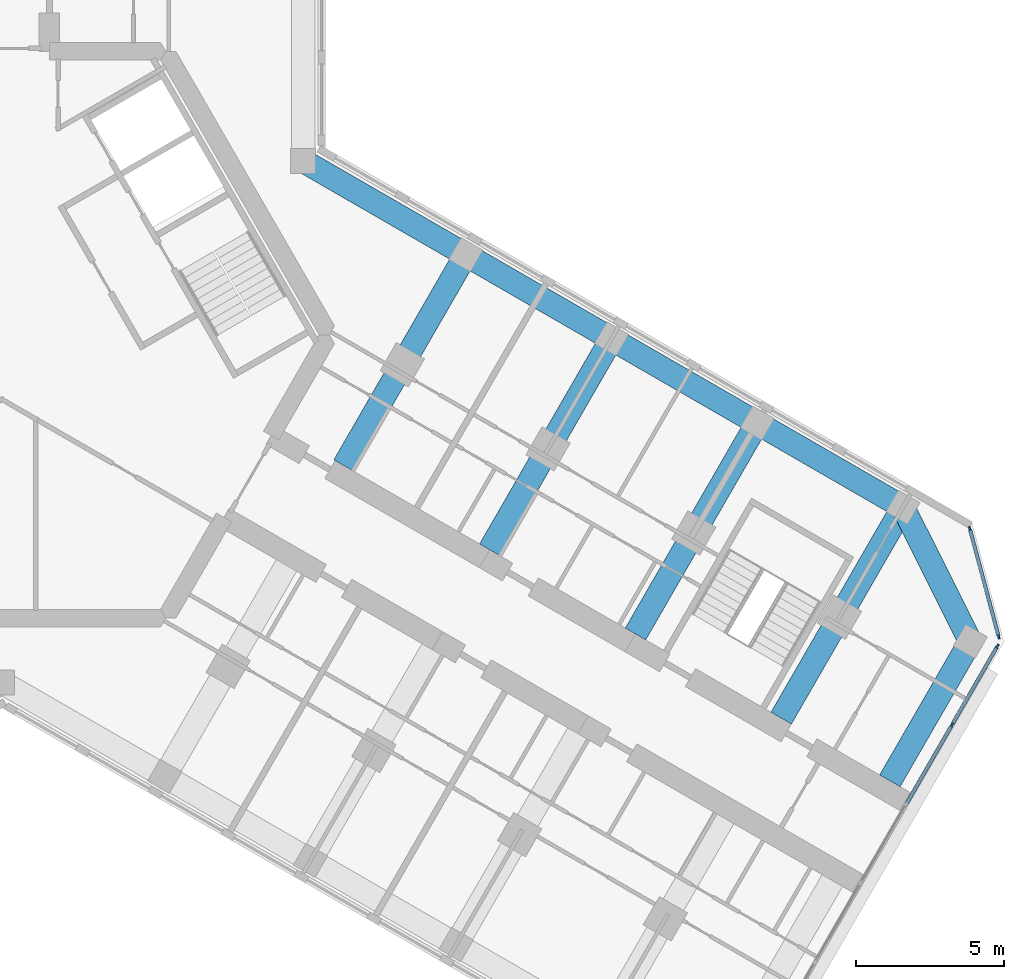
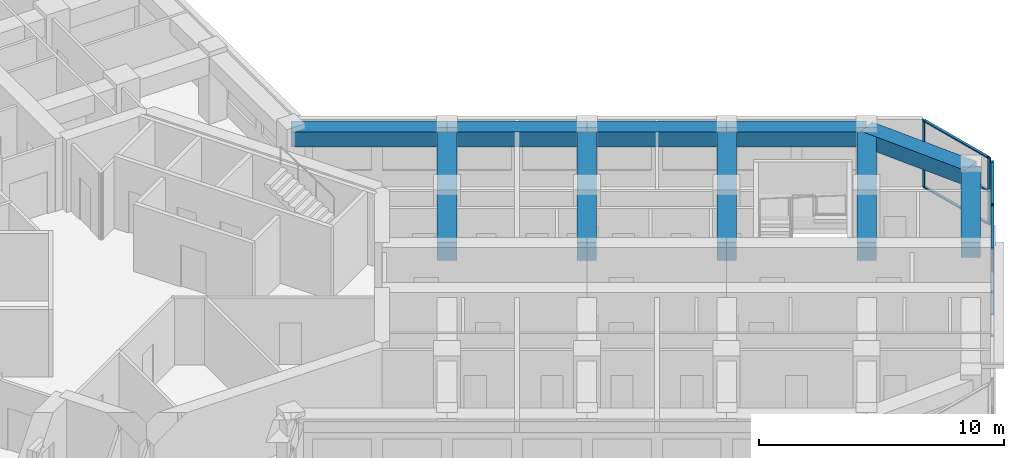
# One storey, part 5 of 16: 11 members, 10 beams, 2 elements without a shape of their own.
"""IFC4 building model written with IfcOpenShell, lengths in metres."""

from ifc_helpers import new_model, si_unit, direction, frame, origin, origin_2d, place, context, subcontext, project, spatial, rectangle, extrude, material, material_profile, profile_set, type_object, element, aggregate, save


model = new_model("IFC4")

# Units and contexts
model_context = context("Model", 3, precision=1e-05, world=origin(), true_north=direction((0.0, 1.0)))
body_context = subcontext(model_context, "Body", "Model", "MODEL_VIEW")
ifc_project = project(units=[si_unit("LENGTHUNIT", "METRE"), si_unit("AREAUNIT", "SQUARE_METRE"), si_unit("VOLUMEUNIT", "CUBIC_METRE"), si_unit("PLANEANGLEUNIT", "RADIAN"), si_unit("MASSUNIT", "GRAM", prefix="KILO")], contexts=[model_context])

# Site, building, storey
site_placement = place(None, origin())
site = spatial("IfcSite", under=ifc_project, at=site_placement, CompositionType="ELEMENT")
building_placement = place(site_placement, origin())
building = spatial("IfcBuilding", under=site, at=building_placement, Name="Kosmar Iwan School Tower", CompositionType="ELEMENT")
storey_placement = place(building_placement, frame((0.0, 0.0, 249.60009765625)))
storey = spatial("IfcBuildingStorey", under=building, at=storey_placement, Name="L63", CompositionType="ELEMENT", Elevation=249.60009765625)

# Curtain wall, members
ifc_material_1 = material(Name="Dark glass in black aluminium frame", Category="aluminium")
curtain_wall_type_1 = type_object("IfcCurtainWallType", Name="Tower curtain wall dark glass", PredefinedType="USERDEFINED", material=ifc_material_1)
curtain_wall_1_placement = place(storey_placement, origin())
curtain_wall_1 = element("IfcCurtainWall", 1, at=curtain_wall_1_placement, inside=storey, type_object=curtain_wall_type_1, Name="Curtain wall L63-F01", ObjectType="UNITISED CURTAIN WALL", PredefinedType="USERDEFINED")
ifc_material_2 = material(Name="Black anodised aluminium", Category="aluminium")
ifc_material_profile_1 = material_profile(ifc_material_2, rectangle(XDim=0.06005859375, YDim=0.159912109375, at=origin_2d()), Name="MULLION 60x160")
ifc_profile_set_1 = profile_set([ifc_material_profile_1], Name="Black anodised aluminium")
member_type_1 = type_object("IfcMemberType", Name="Mullion 60x160", PredefinedType="MULLION", material=ifc_profile_set_1)
member_1_placement = place(storey_placement, frame((32.1806640625, -13.21142578125, 0.0), z_axis=(0.0, 0.0, 1.0), x_axis=(-0.866025405329, 0.499999997325, 0.0)))
member_1 = element("IfcMember", 2, at=member_1_placement, type_object=member_type_1, Name="CW1 mullion 5", PredefinedType="MULLION", context=body_context, shape_type="SweptSolid", body=[
    extrude(rectangle(XDim=0.06005859375, YDim=0.159912109375, at=origin_2d()), origin(), (0.0, 0.0, 1.0), 3.349853515625),
])
member_2_placement = place(storey_placement, frame((33.71533203125, -10.55322265625, 0.0), z_axis=(0.0, 0.0, 1.0), x_axis=(-0.866025405329, 0.499999997325, 0.0)))
member_2 = element("IfcMember", 3, at=member_2_placement, type_object=member_type_1, Name="CW1 mullion 6", PredefinedType="MULLION", context=body_context, shape_type="SweptSolid", body=[
    extrude(rectangle(XDim=0.06005859375, YDim=0.159912109375, at=origin_2d()), origin(), (0.0, 0.0, 1.0), 3.349853515625),
])

ifc_material_3 = material(Name="Dark glass in black aluminium frame", Category="aluminium")
curtain_wall_type_2 = type_object("IfcCurtainWallType", Name="Chamfer curtain wall dark glass", PredefinedType="USERDEFINED", material=ifc_material_3)
curtain_wall_2_placement = place(storey_placement, origin())
curtain_wall_2 = element("IfcCurtainWall", 4, at=curtain_wall_2_placement, inside=storey, type_object=curtain_wall_type_2, Name="Curtain wall L63-F02", ObjectType="FACETED CURTAIN WALL", PredefinedType="USERDEFINED")
member_3_placement = place(storey_placement, frame((33.7587890625, -10.2236328125, 0.0), z_axis=(0.0, 0.0, 1.0), x_axis=(-0.965925875495, -0.258818861462, 0.0)))
member_3 = element("IfcMember", 5, at=member_3_placement, type_object=member_type_1, Name="CW2 mullion 1", PredefinedType="MULLION", context=body_context, shape_type="SweptSolid", body=[
    extrude(rectangle(XDim=0.06005859375, YDim=0.159912109375, at=origin_2d()), origin(), (0.0, 0.0, 1.0), 3.349853515625),
])
member_4_placement = place(storey_placement, frame((32.78076171875, -6.5732421875, 0.0), z_axis=(0.0, 0.0, 1.0), x_axis=(-0.965925875495, -0.258818861462, 0.0)))
member_4 = element("IfcMember", 6, at=member_4_placement, type_object=member_type_1, Name="CW2 mullion 2", PredefinedType="MULLION", context=body_context, shape_type="SweptSolid", body=[
    extrude(rectangle(XDim=0.06005859375, YDim=0.159912109375, at=origin_2d()), origin(), (0.0, 0.0, 1.0), 3.349853515625),
])

# Beams
ifc_material_4 = material(Name="Concrete C50/60", Category="concrete")
ifc_material_profile_2 = material_profile(ifc_material_4, rectangle(XDim=0.800048828125, YDim=0.75, at=origin_2d()), Name="RC 800x750")
ifc_profile_set_2 = profile_set([ifc_material_profile_2], Name="Concrete C50/60")
beam_type_1 = type_object("IfcBeamType", Name="RC edge beam 800x750", PredefinedType="BEAM", material=ifc_profile_set_2)
beam_1_placement = place(storey_placement, frame((10.199951171875, 5.888916015625, 2.974853515625), z_axis=(0.866030912664, -0.49999045822, 0.0), x_axis=(0.49999045822, 0.866030912664, 0.0)))
element("IfcBeam", 7, at=beam_1_placement, inside=storey, type_object=beam_type_1, Name="Edge beam CL1", PredefinedType="BEAM", context=body_context, shape_type="SweptSolid", body=[
    extrude(rectangle(XDim=0.800048828125, YDim=0.75, at=origin_2d()), origin(), (0.0, 0.0, 1.0), 6.36083984375),
])
beam_2_placement = place(storey_placement, frame((15.708740234375, 2.70849609375, 2.974853515625), z_axis=(0.866025820012, -0.499999279071, 0.0), x_axis=(0.499999279071, 0.866025820012, 0.0)))
element("IfcBeam", 8, at=beam_2_placement, inside=storey, type_object=beam_type_1, Name="Edge beam CL2", PredefinedType="BEAM", context=body_context, shape_type="SweptSolid", body=[
    extrude(rectangle(XDim=0.800048828125, YDim=0.75, at=origin_2d()), origin(), (0.0, 0.0, 1.0), 5.7001953125),
])
for number, where, z_axis, x_axis, name in (
    (9, (20.645263671875, -0.1416015625, 2.974853515625), (0.866033658841, -0.49998570155, 0.0), (0.49998570155, 0.866033658841, 0.0), "Edge beam CL3"),
    (10, (25.58154296875, -2.991455078125, 2.974853515625), (0.866015111908, -0.50001782563, 0.0), (0.50001782563, 0.866015111908, 0.0), "Edge beam CL4"),
):
    element("IfcBeam", number, at=place(storey_placement, frame(where, z_axis=z_axis, x_axis=x_axis)), inside=storey, type_object=beam_type_1, Name=name, PredefinedType="BEAM", context=body_context, shape_type="SweptSolid", body=[
        extrude(rectangle(XDim=0.800048828125, YDim=0.75, at=origin_2d()), origin(), (0.0, 0.0, 1.0), 5.699951171875),
    ])
ifc_material_5 = material(Name="Concrete C50/60", Category="concrete")
ifc_material_profile_3 = material_profile(ifc_material_5, rectangle(XDim=0.800048828125, YDim=0.75, at=origin_2d()), Name="RC 800x750")
ifc_profile_set_3 = profile_set([ifc_material_profile_3], Name="Concrete C50/60")
beam_type_2 = type_object("IfcBeamType", Name="RC tip beam 800x750", PredefinedType="BEAM", material=ifc_profile_set_3)
beam_3_placement = place(storey_placement, frame((30.517822265625, -5.841552734375, 2.974853515625), z_axis=(0.44809604203, -0.893985423325, 0.0), x_axis=(0.893985423325, 0.44809604203, 0.0)))
element("IfcBeam", 11, at=beam_3_placement, inside=storey, type_object=beam_type_2, Name="Tip beam CL", PredefinedType="BEAM", context=body_context, shape_type="SweptSolid", body=[
    extrude(rectangle(XDim=0.800048828125, YDim=0.75, at=origin_2d()), origin(), (0.0, 0.0, 1.0), 5.08935546875),
])
beam_4_placement = place(storey_placement, frame((32.79833984375, -10.391357421875, 2.974853515625), z_axis=(-0.49996933381, -0.866043108194, 0.0), x_axis=(0.866043108194, -0.49996933381, 0.0)))
element("IfcBeam", 12, at=beam_4_placement, inside=storey, type_object=beam_type_2, Name="Tip beam CL to corridor wall", PredefinedType="BEAM", context=body_context, shape_type="SweptSolid", body=[
    extrude(rectangle(XDim=0.800048828125, YDim=0.75, at=origin_2d()), origin(), (0.0, 0.0, 1.0), 5.449951171875),
])
ifc_material_6 = material(Name="Concrete C50/60", Category="concrete")
ifc_material_profile_4 = material_profile(ifc_material_6, rectangle(XDim=0.800048828125, YDim=0.89990234375, at=origin_2d()), Name="RC 800x900")
ifc_profile_set_4 = profile_set([ifc_material_profile_4], Name="Concrete C50/60")
beam_type_3 = type_object("IfcBeamType", Name="RC transverse beam 800x900", PredefinedType="BEAM", material=ifc_profile_set_4)
beam_5_placement = place(storey_placement, frame((15.708740234375, 2.70849609375, 2.89990234375), z_axis=(-0.499996545922, -0.866027397988, 0.0), x_axis=(0.866027397988, -0.499996545922, 0.0)))
element("IfcBeam", 13, at=beam_5_placement, inside=storey, type_object=beam_type_3, Name="Transverse beam CL1", PredefinedType="BEAM", context=body_context, shape_type="SweptSolid", body=[
    extrude(rectangle(XDim=0.800048828125, YDim=0.89990234375, at=origin_2d()), origin(), (0.0, 0.0, 1.0), 8.25),
])
beam_6_placement = place(storey_placement, frame((20.645263671875, -0.1416015625, 2.89990234375), z_axis=(-0.500009360108, -0.866019999656, 0.0), x_axis=(0.866019999656, -0.500009360108, 0.0)))
element("IfcBeam", 14, at=beam_6_placement, inside=storey, type_object=beam_type_3, Name="Transverse beam CL2", PredefinedType="BEAM", context=body_context, shape_type="SweptSolid", body=[
    extrude(rectangle(XDim=0.800048828125, YDim=0.89990234375, at=origin_2d()), origin(), (0.0, 0.0, 1.0), 8.249755859375),
])
for number, where, z_axis, x_axis, name in (
    (15, (25.58154296875, -2.991455078125, 2.89990234375), (-0.499996545922, -0.866027397988, 0.0), (0.866027397988, -0.499996545922, 0.0), "Transverse beam CL3"),
    (16, (30.517822265625, -5.841552734375, 2.89990234375), (-0.499996545922, -0.866027397988, 0.0), (0.866027397988, -0.499996545922, 0.0), "Transverse beam CL4"),
):
    element("IfcBeam", number, at=place(storey_placement, frame(where, z_axis=z_axis, x_axis=x_axis)), inside=storey, type_object=beam_type_3, Name=name, PredefinedType="BEAM", context=body_context, shape_type="SweptSolid", body=[
        extrude(rectangle(XDim=0.800048828125, YDim=0.89990234375, at=origin_2d()), origin(), (0.0, 0.0, 1.0), 8.25),
    ])

# Member
ifc_material_7 = material(Name="Black anodised aluminium", Category="aluminium")
ifc_material_profile_5 = material_profile(ifc_material_7, rectangle(XDim=0.1201171875, YDim=0.06005859375, at=origin_2d()), Name="TRANSOM 60x120")
ifc_profile_set_5 = profile_set([ifc_material_profile_5], Name="Black anodised aluminium")
member_type_2 = type_object("IfcMemberType", Name="Transom 60x120", PredefinedType="USERDEFINED", material=ifc_profile_set_5)
member_5_placement = place(storey_placement, frame((30.64599609375, -15.869384765625, 0.02978515625), z_axis=(0.500035348339, 0.866004994449, 0.0), x_axis=(-0.866004994449, 0.500035348339, 0.0)))
member_5 = element("IfcMember", 17, at=member_5_placement, type_object=member_type_2, Name="CW1 transom 4.1", ObjectType="TRANSOM", PredefinedType="USERDEFINED", context=body_context, shape_type="SweptSolid", body=[
    extrude(rectangle(XDim=0.1201171875, YDim=0.06005859375, at=origin_2d()), origin(), (0.0, 0.0, 1.0), 3.039306640625),
])

member_6_placement = place(storey_placement, frame((30.64599609375, -15.869384765625, 3.31982421875), z_axis=(0.500035348339, 0.866004994449, 0.0), x_axis=(-0.866004994449, 0.500035348339, 0.0)))
member_6 = element("IfcMember", 18, at=member_6_placement, type_object=member_type_2, Name="CW1 transom 4.2", ObjectType="TRANSOM", PredefinedType="USERDEFINED", context=body_context, shape_type="SweptSolid", body=[
    extrude(rectangle(XDim=0.1201171875, YDim=0.06005859375, at=origin_2d()), origin(), (0.0, 0.0, 1.0), 3.039306640625),
])

member_7_placement = place(storey_placement, frame((32.19580078125, -13.185302734375, 0.02978515625), z_axis=(0.500022102064, 0.866012642776, 0.0), x_axis=(-0.866012642776, 0.500022102064, 0.0)))
member_7 = element("IfcMember", 19, at=member_7_placement, type_object=member_type_2, Name="CW1 transom 5.1", ObjectType="TRANSOM", PredefinedType="USERDEFINED", context=body_context, shape_type="SweptSolid", body=[
    extrude(rectangle(XDim=0.1201171875, YDim=0.06005859375, at=origin_2d()), origin(), (0.0, 0.0, 1.0), 3.009033203125),
])

member_8_placement = place(storey_placement, frame((32.19580078125, -13.185302734375, 3.31982421875), z_axis=(0.500022102064, 0.866012642776, 0.0), x_axis=(-0.866012642776, 0.500022102064, 0.0)))
member_8 = element("IfcMember", 20, at=member_8_placement, type_object=member_type_2, Name="CW1 transom 5.2", ObjectType="TRANSOM", PredefinedType="USERDEFINED", context=body_context, shape_type="SweptSolid", body=[
    extrude(rectangle(XDim=0.1201171875, YDim=0.06005859375, at=origin_2d()), origin(), (0.0, 0.0, 1.0), 3.009033203125),
])

aggregate(curtain_wall_1, [member_1, member_2, member_5, member_6, member_7, member_8])

member_9_placement = place(storey_placement, frame((33.7509765625, -10.194580078125, 0.02978515625), z_axis=(-0.258843273983, 0.965919333854, 0.0), x_axis=(-0.965919333854, -0.258843273983, 0.0)))
member_9 = element("IfcMember", 21, at=member_9_placement, type_object=member_type_2, Name="CW2 transom 1.1", ObjectType="TRANSOM", PredefinedType="USERDEFINED", context=body_context, shape_type="SweptSolid", body=[
    extrude(rectangle(XDim=0.1201171875, YDim=0.06005859375, at=origin_2d()), origin(), (0.0, 0.0, 1.0), 3.718994140625),
])

member_10_placement = place(storey_placement, frame((33.7509765625, -10.194580078125, 1.6748046875), z_axis=(-0.258843273983, 0.965919333854, 0.0), x_axis=(-0.965919333854, -0.258843273983, 0.0)))
member_10 = element("IfcMember", 22, at=member_10_placement, type_object=member_type_2, Name="CW2 transom 1.2", ObjectType="TRANSOM", PredefinedType="USERDEFINED", context=body_context, shape_type="SweptSolid", body=[
    extrude(rectangle(XDim=0.1201171875, YDim=0.06005859375, at=origin_2d()), origin(), (0.0, 0.0, 1.0), 3.718994140625),
])

member_11_placement = place(storey_placement, frame((33.7509765625, -10.194580078125, 3.31982421875), z_axis=(-0.258843273983, 0.965919333854, 0.0), x_axis=(-0.965919333854, -0.258843273983, 0.0)))
member_11 = element("IfcMember", 23, at=member_11_placement, type_object=member_type_2, Name="CW2 transom 1.3", ObjectType="TRANSOM", PredefinedType="USERDEFINED", context=body_context, shape_type="SweptSolid", body=[
    extrude(rectangle(XDim=0.1201171875, YDim=0.06005859375, at=origin_2d()), origin(), (0.0, 0.0, 1.0), 3.718994140625),
])

aggregate(curtain_wall_2, [member_3, member_4, member_9, member_10, member_11])

save(model, "model.ifc")
